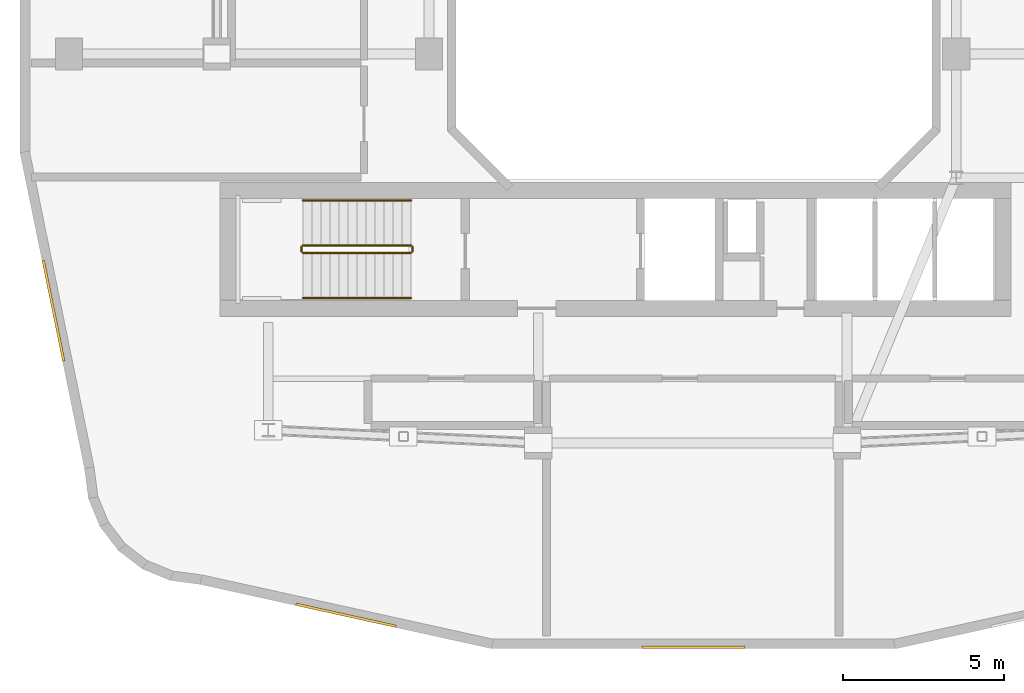
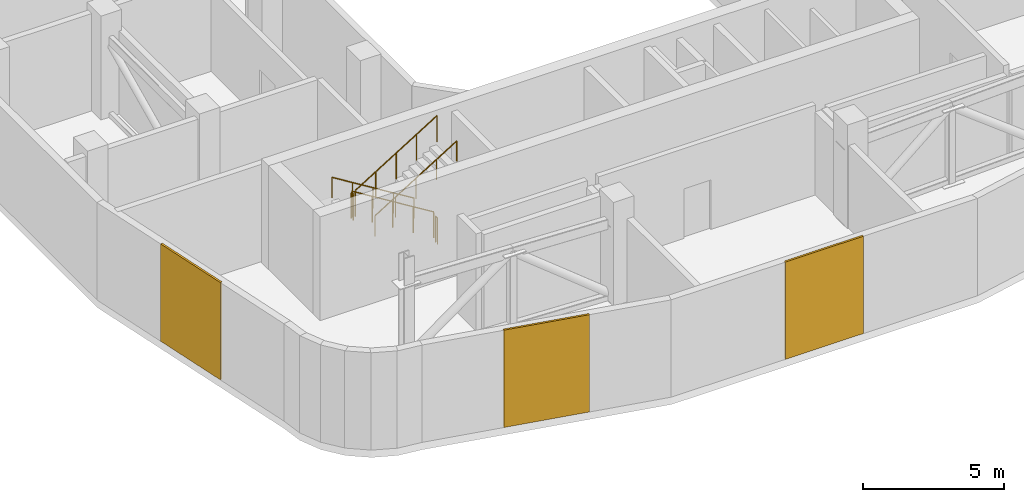
# One storey, part 13 of 18: 6 railings, 3 coverings.
"""IFC4 building model written with IfcOpenShell, lengths in metres."""

from ifc_helpers import new_model, si_unit, derived_unit, direction, frame, origin, origin_2d, place, context, subcontext, project, spatial, rectangle, circle, extrude, material, layer, layer_set, type_object, element, save


model = new_model("IFC4")

# Units and contexts
model_context = context("Model", 3, precision=1e-05, world=origin(), true_north=direction((0.0, 1.0)))
body_context = subcontext(model_context, "Body", "Model", "MODEL_VIEW")
ifc_project = project(units=[si_unit("LENGTHUNIT", "METRE"), si_unit("AREAUNIT", "SQUARE_METRE"), si_unit("VOLUMEUNIT", "CUBIC_METRE"), si_unit("PLANEANGLEUNIT", "RADIAN"), si_unit("MASSUNIT", "GRAM", prefix="KILO"), derived_unit("THERMALTRANSMITTANCEUNIT", [(si_unit("POWERUNIT", "WATT"), 1), (si_unit("LENGTHUNIT", "METRE"), -2), (si_unit("THERMODYNAMICTEMPERATUREUNIT", "KELVIN"), -1)])], contexts=[model_context])

# Site, building, storey
site_placement = place(None, origin())
site = spatial("IfcSite", under=ifc_project, at=site_placement, CompositionType="ELEMENT")
building_placement = place(site_placement, origin())
building = spatial("IfcBuilding", under=site, at=building_placement, Name="Kivonza Crest Hotel", CompositionType="ELEMENT")
storey_placement = place(building_placement, frame((0.0, 0.0, 90.5)))
storey = spatial("IfcBuildingStorey", under=building, at=storey_placement, Name="L24", CompositionType="ELEMENT", Elevation=90.5)

# Coverings
ifc_material_1 = material(Name="Anodised bronze aluminium acoustic louvre cladding", Category="aluminium")
ifc_layer = layer(ifc_material_1, 0.080078125)
ifc_layer_set = layer_set([ifc_layer], Name="Anodised bronze aluminium acoustic louvre cladding")
covering_type = type_object("IfcCoveringType", Name="CV-CLAD-80", PredefinedType="CLADDING", material=ifc_layer_set)
for number, where, z_axis, x_axis, name in (
    (1, (10.216064453125, 4.041015625, 0.0), (0.0, 0.0, 1.0), (0.976559709305, -0.215246682117, 0.0), "L24 T1 terracotta baguette and louvre screen 7"),
    (2, (21.02294921875, 3.0400390625, 0.0), (0.0, 0.0, 1.0), (1.0, 0.0, 0.0), "L24 T1 terracotta baguette and louvre screen 8"),
    (3, (1.117919921875, 13.51611328125, 0.0), (0.0, 0.0, 1.0), (0.19988099444, -0.979820181493, 0.0), "L24 T1 terracotta baguette and louvre screen 36"),
):
    element("IfcCovering", number, at=place(storey_placement, frame(where, z_axis=z_axis, x_axis=x_axis)), inside=storey, type_object=covering_type, Name=name, PredefinedType="CLADDING", context=body_context, shape_type="SweptSolid", body=[
        extrude(rectangle(XDim=3.199951171875, YDim=0.080078125, at=origin_2d()), origin(), (0.0, 0.0, 1.0), 4.219970703125),
    ])

# Railings
ifc_material_2 = material(Name="Brushed stainless steel handrail", Category="steel")
railing_type_1 = type_object("IfcRailingType", Name="RL-HAND-900", PredefinedType="HANDRAIL", material=ifc_material_2)
railing_1_placement = place(storey_placement, frame((12.239990234375, 16.949951171875, 0.173095703125)))
element("IfcRailing", 4, at=railing_1_placement, inside=storey, type_object=railing_type_1, Name="L24 ST-T1-S stair handrail 1", PredefinedType="HANDRAIL", context=body_context, shape_type="SweptSolid", body=[
    extrude(circle(Radius=0.02392578125, at=origin_2d()), frame((0.0, 0.0, 0.8759765625), z_axis=(-0.850623216509, 0.0, 0.525775754039), x_axis=(0.0, -1.0, 0.0)), (0.0, 0.0, 1.0), 3.9501953125),
    extrude(circle(Radius=0.02099609375, at=origin_2d()), origin(), (0.0, 0.0, 1.0), 0.851806640625),
    extrude(circle(Radius=0.02099609375, at=origin_2d()), frame((-0.840087890625, 0.0, 0.519287109375)), (0.0, 0.0, 1.0), 0.851806640625),
    extrude(circle(Radius=0.02099609375, at=origin_2d()), frame((-1.68017578125, 0.0, 1.03857421875)), (0.0, 0.0, 1.0), 0.851806640625),
    extrude(circle(Radius=0.02099609375, at=origin_2d()), frame((-2.52001953125, 0.0, 1.5576171875)), (0.0, 0.0, 1.0), 0.851806640625),
    extrude(circle(Radius=0.02099609375, at=origin_2d()), frame((-3.360107421875, 0.0, 2.076904296875)), (0.0, 0.0, 1.0), 0.851806640625),
])
railing_2_placement = place(storey_placement, frame((8.8798828125, 13.909912109375, 2.423095703125)))
element("IfcRailing", 5, at=railing_2_placement, inside=storey, type_object=railing_type_1, Name="L24 ST-T1-S stair handrail 2", PredefinedType="HANDRAIL", context=body_context, shape_type="SweptSolid", body=[
    extrude(circle(Radius=0.02392578125, at=origin_2d()), frame((0.0, 0.0, 0.8759765625), z_axis=(0.850623216509, 0.0, 0.525775754039), x_axis=(0.0, 1.0, 0.0)), (0.0, 0.0, 1.0), 3.9501953125),
    extrude(circle(Radius=0.02099609375, at=origin_2d()), origin(), (0.0, 0.0, 1.0), 0.851806640625),
    extrude(circle(Radius=0.02099609375, at=origin_2d()), frame((0.840087890625, 0.0, 0.519287109375)), (0.0, 0.0, 1.0), 0.851806640625),
    extrude(circle(Radius=0.02099609375, at=origin_2d()), frame((1.68017578125, 0.0, 1.03857421875)), (0.0, 0.0, 1.0), 0.851806640625),
    extrude(circle(Radius=0.02099609375, at=origin_2d()), frame((2.52001953125, 0.0, 1.5576171875)), (0.0, 0.0, 1.0), 0.851806640625),
    extrude(circle(Radius=0.02099609375, at=origin_2d()), frame((3.360107421875, 0.0, 2.076904296875)), (0.0, 0.0, 1.0), 0.851806640625),
])
ifc_material_3 = material(Name="Painted steel balustrade", Category="steel")
railing_type_2 = type_object("IfcRailingType", Name="RL-STAIR-1150", PredefinedType="BALUSTRADE", material=ifc_material_3)
railing_3_placement = place(storey_placement, frame((12.239990234375, 15.550048828125, 0.173095703125)))
element("IfcRailing", 6, at=railing_3_placement, inside=storey, type_object=railing_type_2, Name="L24 ST-T1-S stair guard 1", PredefinedType="BALUSTRADE", context=body_context, shape_type="SweptSolid", body=[
    extrude(circle(Radius=0.02392578125, at=origin_2d()), frame((0.0, 0.0, 1.1259765625), z_axis=(-0.850623216509, 0.0, 0.525775754039), x_axis=(0.0, -1.0, 0.0)), (0.0, 0.0, 1.0), 3.9501953125),
    extrude(circle(Radius=0.02099609375, at=origin_2d()), origin(), (0.0, 0.0, 1.0), 1.101806640625),
    extrude(circle(Radius=0.02099609375, at=origin_2d()), frame((-0.840087890625, 0.0, 0.519287109375)), (0.0, 0.0, 1.0), 1.101806640625),
    extrude(circle(Radius=0.02099609375, at=origin_2d()), frame((-1.68017578125, 0.0, 1.03857421875)), (0.0, 0.0, 1.0), 1.101806640625),
    extrude(circle(Radius=0.02099609375, at=origin_2d()), frame((-2.52001953125, 0.0, 1.5576171875)), (0.0, 0.0, 1.0), 1.101806640625),
    extrude(circle(Radius=0.02099609375, at=origin_2d()), frame((-3.360107421875, 0.0, 2.076904296875)), (0.0, 0.0, 1.0), 1.101806640625),
])
railing_4_placement = place(storey_placement, frame((8.830078125, 15.5, 2.25)))
element("IfcRailing", 7, at=railing_4_placement, inside=storey, type_object=railing_type_2, Name="L24 ST-T1-S stair guard 2", PredefinedType="BALUSTRADE", context=body_context, shape_type="SweptSolid", body=[
    extrude(circle(Radius=0.02392578125, at=origin_2d()), frame((0.0, 0.0, 1.1259765625), z_axis=(0.0, -1.0, 0.0), x_axis=(1.0, 0.0, 0.0)), (0.0, 0.0, 1.0), 0.139892578125),
    extrude(circle(Radius=0.02099609375, at=origin_2d()), origin(), (0.0, 0.0, 1.0), 1.101806640625),
    extrude(circle(Radius=0.02099609375, at=origin_2d()), frame((0.0, -0.139892578125, 0.0)), (0.0, 0.0, 1.0), 1.101806640625),
])
railing_5_placement = place(storey_placement, frame((8.8798828125, 15.31005859375, 2.423095703125)))
element("IfcRailing", 8, at=railing_5_placement, inside=storey, type_object=railing_type_2, Name="L24 ST-T1-S stair guard 3", PredefinedType="BALUSTRADE", context=body_context, shape_type="SweptSolid", body=[
    extrude(circle(Radius=0.02392578125, at=origin_2d()), frame((0.0, 0.0, 1.1259765625), z_axis=(0.850623216509, 0.0, 0.525775754039), x_axis=(0.0, 1.0, 0.0)), (0.0, 0.0, 1.0), 3.9501953125),
    extrude(circle(Radius=0.02099609375, at=origin_2d()), origin(), (0.0, 0.0, 1.0), 1.101806640625),
    extrude(circle(Radius=0.02099609375, at=origin_2d()), frame((0.840087890625, 0.0, 0.519287109375)), (0.0, 0.0, 1.0), 1.101806640625),
    extrude(circle(Radius=0.02099609375, at=origin_2d()), frame((1.68017578125, 0.0, 1.03857421875)), (0.0, 0.0, 1.0), 1.101806640625),
    extrude(circle(Radius=0.02099609375, at=origin_2d()), frame((2.52001953125, 0.0, 1.5576171875)), (0.0, 0.0, 1.0), 1.101806640625),
    extrude(circle(Radius=0.02099609375, at=origin_2d()), frame((3.360107421875, 0.0, 2.076904296875)), (0.0, 0.0, 1.0), 1.101806640625),
])
railing_6_placement = place(storey_placement, frame((12.2900390625, 15.5, 0.0)))
element("IfcRailing", 9, at=railing_6_placement, inside=storey, type_object=railing_type_2, Name="L24 ST-T1-S stair guard 4", PredefinedType="BALUSTRADE", context=body_context, shape_type="SweptSolid", body=[
    extrude(circle(Radius=0.02392578125, at=origin_2d()), frame((0.0, 0.0, 1.1259765625), z_axis=(0.0, -1.0, 0.0), x_axis=(1.0, 0.0, 0.0)), (0.0, 0.0, 1.0), 0.139892578125),
    extrude(circle(Radius=0.02099609375, at=origin_2d()), origin(), (0.0, 0.0, 1.0), 1.101806640625),
    extrude(circle(Radius=0.02099609375, at=origin_2d()), frame((0.0, -0.139892578125, 0.0)), (0.0, 0.0, 1.0), 1.101806640625),
])

save(model, "model.ifc")
